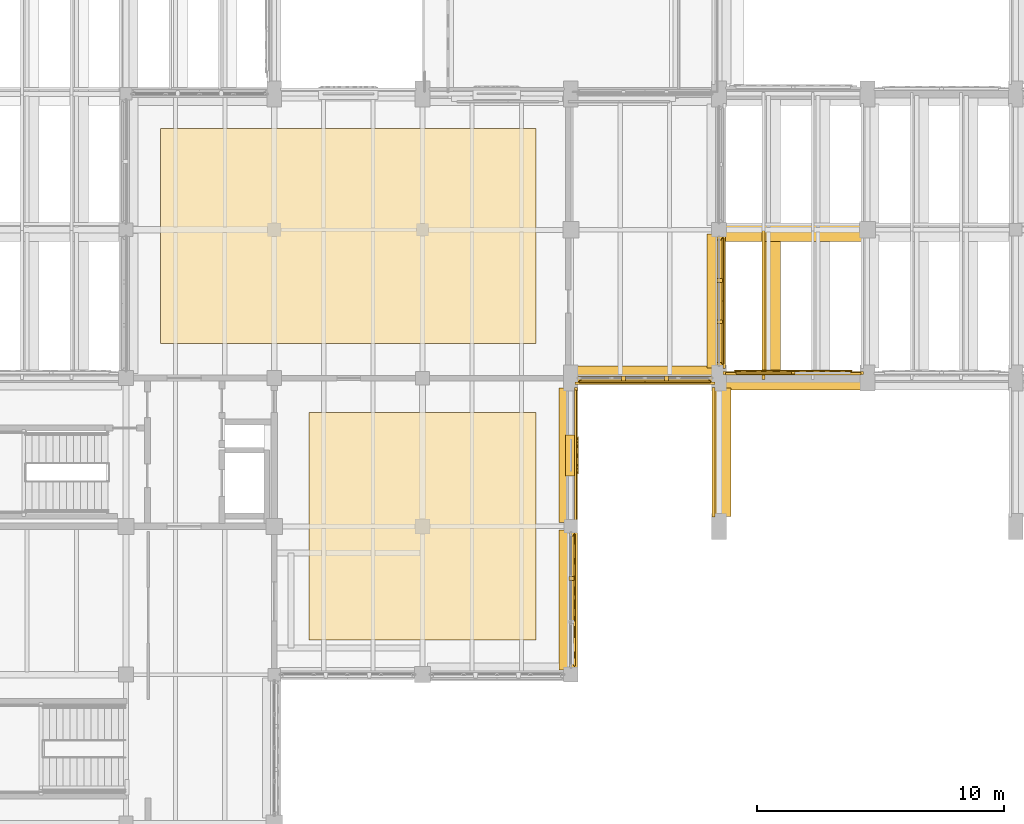
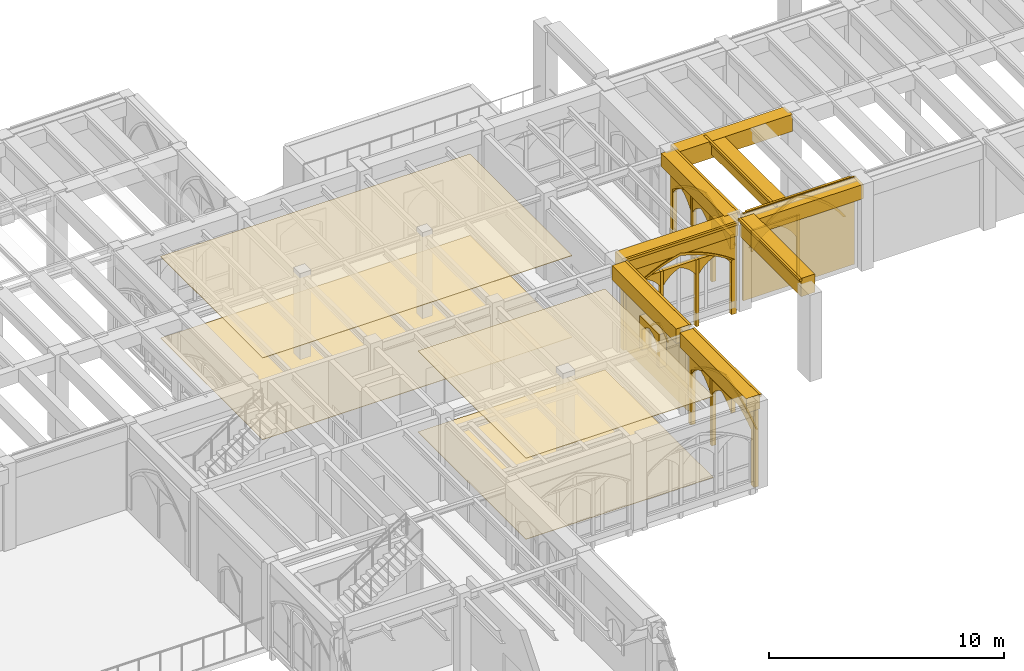
# One storey, part 113 of 127: 46 coverings.
"""IFC4 building model written with IfcOpenShell, lengths in metres."""

import ifcopenshell
import ifcopenshell.guid

model = None  # the IFC model being written
_history = None  # IfcOwnerHistory: only IFC2X3 demands one
_inside = {}  # id of a spatial element -> (the spatial element, [elements in it])
_under = {}  # id of a project, library or spatial element -> (it, [spatial elements below it])
_declared = {}  # id of a project -> (the project, [libraries it declares])
_typed = {}  # id of a type object -> (the type object, [elements of that type])
_made_of = {}  # id of a material, layer set ... -> (it, [elements and type objects made of it])


def new_model(schema):
    """Start an empty IFC model of exactly this schema.

    Asked for "IFC4X3", IfcOpenShell would pick the latest addendum, in which some entities
    have other attributes; the version numbers below select the first issue.
    IFC2X3 requires an IfcOwnerHistory on every rooted entity: one is made here for all.
    """
    global model, _history
    if schema == "IFC4X3":
        model = ifcopenshell.file(schema_version=(4, 3, 0, 0))
    else:
        model = ifcopenshell.file(schema=schema)
    _inside.clear()
    _under.clear()
    _declared.clear()
    _typed.clear()
    _made_of.clear()
    _history = None
    if model.schema == "IFC2X3":
        org = make("IfcOrganization", Name="unknown")
        user = make(
            "IfcPersonAndOrganization",
            ThePerson=make("IfcPerson", FamilyName="unknown"),
            TheOrganization=org,
        )
        app = make(
            "IfcApplication",
            ApplicationDeveloper=org,
            Version="unknown",
            ApplicationFullName="unknown",
            ApplicationIdentifier="unknown",
        )
        _history = make(
            "IfcOwnerHistory",
            OwningUser=user,
            OwningApplication=app,
            ChangeAction="ADDED",
            CreationDate=0,
        )
    return model


def make(cls, **values):
    """One entity of the class cls with the attributes given. An attribute that is None is left unset."""
    return model.create_entity(
        cls, **{name: value for name, value in values.items() if value is not None}
    )


def rooted(cls, **values):
    """An entity with a GlobalId (a new one), such as an element, a storey or a relation."""
    return make(cls, GlobalId=ifcopenshell.guid.new(), OwnerHistory=_history, **values)


def si_unit(unit_type, name, prefix=None):
    """IfcSIUnit, for example si_unit("LENGTHUNIT", "METRE", prefix="MILLI")."""
    return make("IfcSIUnit", UnitType=unit_type, Prefix=prefix, Name=name)


def assignment(units):
    """IfcUnitAssignment: the units of a project."""
    return None if units is None else make("IfcUnitAssignment", Units=units)


def point(xyz):
    """IfcCartesianPoint."""
    return None if xyz is None else make("IfcCartesianPoint", Coordinates=xyz)


def direction(xyz):
    """IfcDirection."""
    return None if xyz is None else make("IfcDirection", DirectionRatios=xyz)


def frame(location, z_axis=None, x_axis=None):
    """IfcAxis2Placement3D, a coordinate frame: its origin and axes. An axis left out is left unset."""
    return make(
        "IfcAxis2Placement3D",
        Location=point(location),
        Axis=direction(z_axis),
        RefDirection=direction(x_axis),
    )


def frame_2d(location, x_axis=None):
    """IfcAxis2Placement2D, a coordinate frame in the plane: its origin and x axis."""
    return make(
        "IfcAxis2Placement2D", Location=point(location), RefDirection=direction(x_axis)
    )


def origin():
    """The frame at (0, 0, 0) with its axes left unset."""
    return frame((0.0, 0.0, 0.0))


def origin_2d():
    """The frame at (0, 0) in the plane with its x axis left unset."""
    return frame_2d((0.0, 0.0))


def place(relative_to, where):
    """IfcLocalPlacement: puts the frame where relative to a parent placement (None: the world)."""
    return make(
        "IfcLocalPlacement", PlacementRelTo=relative_to, RelativePlacement=where
    )


def context(
    kind, dimensions, precision=None, world=None, true_north=None, identifier=None
):
    """IfcGeometricRepresentationContext, for example the 3D "Model" context."""
    return make(
        "IfcGeometricRepresentationContext",
        ContextIdentifier=identifier,
        ContextType=kind,
        CoordinateSpaceDimension=dimensions,
        Precision=precision,
        WorldCoordinateSystem=world,
        TrueNorth=true_north,
    )


def subcontext(parent, identifier, kind, view, scale=None):
    """IfcGeometricRepresentationSubContext, for example "Body" below "Model"."""
    return make(
        "IfcGeometricRepresentationSubContext",
        ContextIdentifier=identifier,
        ContextType=kind,
        ParentContext=parent,
        TargetScale=scale,
        TargetView=view,
    )


def project(units=None, contexts=None):
    """IfcProject with its units and contexts."""
    return rooted(
        "IfcProject",
        Name="project",
        RepresentationContexts=contexts,
        UnitsInContext=assignment(units),
    )


def spatial(cls, under=None, at=None, **own):
    """A site, building, storey or space (cls), placed at a placement, below another one or the project."""
    s = rooted(cls, ObjectPlacement=at, **own)
    if under is not None:
        _under.setdefault(under.id(), (under, []))[1].append(s)
    return s


def polyline(points):
    """IfcPolyline through the points."""
    return make("IfcPolyline", Points=[point(p) for p in points])


def profile(cls, at=None, kind="AREA", **sizes):
    """A parametric profile (cls). Its sizes go by their IFC names, for example OverallWidth=200.0."""
    return make(cls, ProfileType=kind, Position=at, **sizes)


def rectangle(**sizes):
    """IfcRectangleProfileDef."""
    return profile("IfcRectangleProfileDef", **sizes)


def outline(outer, holes=None, kind="AREA"):
    """IfcArbitraryClosedProfileDef: a profile drawn as a closed curve; with holes, ...WithVoids."""
    if holes is None:
        return make("IfcArbitraryClosedProfileDef", ProfileType=kind, OuterCurve=outer)
    return make(
        "IfcArbitraryProfileDefWithVoids",
        ProfileType=kind,
        OuterCurve=outer,
        InnerCurves=holes,
    )


def extrude(swept, where, along, depth):
    """IfcExtrudedAreaSolid: the profile swept, set in the frame where, extruded along a direction by depth."""
    return make(
        "IfcExtrudedAreaSolid",
        SweptArea=swept,
        Position=where,
        ExtrudedDirection=direction(along),
        Depth=depth,
    )


def shape(context_of_items, identifier, shape_type, items):
    """IfcShapeRepresentation: the items that make up one representation, for example the "Body"."""
    return make(
        "IfcShapeRepresentation",
        ContextOfItems=context_of_items,
        RepresentationIdentifier=identifier,
        RepresentationType=shape_type,
        Items=items,
    )


def material(Name=None, Category=None):
    """IfcMaterial."""
    return make("IfcMaterial", Name=Name, Category=Category)


def made_of(thing, what):
    """Note that an element or type object is made of a material, layer set ...; save() writes the relation."""
    if what is not None:
        _made_of.setdefault(what.id(), (what, []))[1].append(thing)
    return thing


def type_object(cls, material=None, **own):
    """A type object (cls), such as IfcWallType, which elements share."""
    return made_of(rooted(cls, **own), material)


def element(
    cls,
    number,
    at=None,
    inside=None,
    cuts=None,
    type_object=None,
    material=None,
    context=None,
    identifier="Body",
    shape_type=None,
    held_by="IfcProductDefinitionShape",
    body=None,
    shapes=None,
    **own,
):
    """One element of the class cls, such as IfcWall. Its Tag is "e" and its number.

    at: its placement. inside: the storey or other place that contains it. cuts: it is an
    opening in that element (IfcRelVoidsElement). A single representation is given by context,
    identifier, shape_type and body (its items); several are given by shapes. held_by: the class
    of the entity that holds the representations. save() writes the other relations.
    """
    e = rooted(cls, Tag="e%d" % number, ObjectPlacement=at, **own)
    if body is not None:
        shapes = [shape(context, identifier, shape_type, body)]
    if shapes is not None:
        e.Representation = make(held_by, Representations=shapes)
    if inside is not None:
        _inside.setdefault(inside.id(), (inside, []))[1].append(e)
    if cuts is not None:
        rooted(
            "IfcRelVoidsElement", RelatingBuildingElement=cuts, RelatedOpeningElement=e
        )
    if type_object is not None:
        _typed.setdefault(type_object.id(), (type_object, []))[1].append(e)
    return made_of(e, material)


def aggregate(whole, parts):
    """IfcRelAggregates: a whole, such as a stair, and the parts it consists of."""
    return rooted("IfcRelAggregates", RelatingObject=whole, RelatedObjects=parts)


def save(model, path):
    """Write the relations noted so far, then the file.

    IfcRelAggregates (storeys below a building ...), IfcRelContainedInSpatialStructure (elements
    in a storey), IfcRelDefinesByType, IfcRelAssociatesMaterial and IfcRelDeclares: one each for
    every whole, place, type object, material and project.
    """
    for whole, parts in _under.values():
        aggregate(whole, parts)
    for where, things in _inside.values():
        rooted(
            "IfcRelContainedInSpatialStructure",
            RelatedElements=things,
            RelatingStructure=where,
        )
    for kind, things in _typed.values():
        rooted("IfcRelDefinesByType", RelatedObjects=things, RelatingType=kind)
    for what, things in _made_of.values():
        rooted("IfcRelAssociatesMaterial", RelatedObjects=things, RelatingMaterial=what)
    for by, libraries in _declared.values():
        rooted("IfcRelDeclares", RelatingContext=by, RelatedDefinitions=libraries)
    model.write(path)


model = new_model("IFC4")

# Units and contexts
model_context = context("Model", 3, precision=1e-05, world=origin(), true_north=direction((0.0, 1.0)))
body_context = subcontext(model_context, "Body", "Model", "MODEL_VIEW")
ifc_project = project(units=[si_unit("LENGTHUNIT", "METRE"), si_unit("AREAUNIT", "SQUARE_METRE"), si_unit("VOLUMEUNIT", "CUBIC_METRE"), si_unit("PLANEANGLEUNIT", "RADIAN"), si_unit("MASSUNIT", "GRAM", prefix="KILO")], contexts=[model_context])

# Site, building, storey
site_placement = place(None, origin())
site = spatial("IfcSite", under=ifc_project, at=site_placement, CompositionType="ELEMENT")
building_placement = place(site_placement, origin())
building = spatial("IfcBuilding", under=site, at=building_placement, Name="Cumevento Cable Car Station", CompositionType="ELEMENT")
storey_placement = place(building_placement, frame((0.0, 0.0, 4.5)))
storey = spatial("IfcBuildingStorey", under=building, at=storey_placement, Name="L02", CompositionType="ELEMENT", Elevation=4.5)

# Coverings
ifc_material_1 = material(Name="Perforated Brazilian Ipe Timber Ceiling", Category="wood")
covering_type_1 = type_object("IfcCoveringType", Name="Acoustic Timber Ceiling CV-CE01", PredefinedType="CEILING", material=ifc_material_1)
covering_1_placement = place(storey_placement, frame((0.0, 0.0, 4.199951171875)))
element("IfcCovering", 1, at=covering_1_placement, inside=storey, type_object=covering_type_1, Name="Acoustic Timber Soffit Ceiling #4", PredefinedType="CEILING", context=body_context, shape_type="SweptSolid", body=[
    extrude(outline(polyline([(71.39990234375, 34.39990234375), (80.60009765625, 34.39990234375), (80.60009765625, 43.60009765625), (71.39990234375, 43.60009765625), (71.39990234375, 34.39990234375)])), origin(), (0.0, 0.0, 1.0), 0.028076171875),
])
covering_2_placement = place(storey_placement, frame((0.0, 0.0, 4.236083984375)))
element("IfcCovering", 2, at=covering_2_placement, inside=storey, type_object=covering_type_1, Name="Acoustic Timber Soffit Ceiling #7", PredefinedType="CEILING", context=body_context, shape_type="SweptSolid", body=[
    extrude(outline(polyline([(65.39990234375, 46.39990234375), (80.60009765625, 46.39990234375), (80.60009765625, 55.10009765625), (65.39990234375, 55.10009765625), (65.39990234375, 46.39990234375)])), origin(), (0.0, 0.0, 1.0), 0.02783203125),
])
ifc_material_2 = material(Name="Polished Carioca Granite Terrazzo Tile", Category="masonry")
covering_type_2 = type_object("IfcCoveringType", Name="Carioca Granite Flooring CV-FL01", PredefinedType="FLOORING", material=ifc_material_2)
covering_3_placement = place(storey_placement, origin())
element("IfcCovering", 3, at=covering_3_placement, inside=storey, type_object=covering_type_2, Name="Granite Terrazzo Floor Finish #4", PredefinedType="FLOORING", context=body_context, shape_type="SweptSolid", body=[
    extrude(outline(polyline([(71.39990234375, 34.39990234375), (80.60009765625, 34.39990234375), (80.60009765625, 43.60009765625), (71.39990234375, 43.60009765625), (71.39990234375, 34.39990234375)])), origin(), (0.0, 0.0, 1.0), 0.02197265625),
])
covering_4_placement = place(storey_placement, origin())
element("IfcCovering", 4, at=covering_4_placement, inside=storey, type_object=covering_type_2, Name="Granite Terrazzo Floor Finish #7", PredefinedType="FLOORING", context=body_context, shape_type="SweptSolid", body=[
    extrude(outline(polyline([(65.39990234375, 46.39990234375), (80.60009765625, 46.39990234375), (80.60009765625, 55.10009765625), (65.39990234375, 55.10009765625), (65.39990234375, 46.39990234375)])), origin(), (0.0, 0.0, 1.0), 0.02197265625),
])
ifc_material_3 = material(Name="Gnaisse Facoidal Stone Ashlar 85 MPa", Category="masonry")
covering_type_3 = type_object("IfcCoveringType", Name="Gnaisse Ashlar Cladding CV-CL01", PredefinedType="CLADDING", material=ifc_material_3)
covering_5_placement = place(storey_placement, frame((81.85009765625, 36.012451171875, 3.760986328125), z_axis=(0.0, 0.0, 1.0), x_axis=(0.0, -1.0, 0.0)))
element("IfcCovering", 5, at=covering_5_placement, inside=storey, type_object=covering_type_3, Name="Gothic Stone Spandrel Stringcourse sc:0332", PredefinedType="CLADDING", context=body_context, shape_type="SweptSolid", body=[
    extrude(rectangle(XDim=5.6650390625, YDim=0.659912109375, at=origin_2d()), origin(), (0.0, 0.0, 1.0), 0.7470703125),
])
covering_6_placement = place(storey_placement, frame((82.20751953125, 36.012451171875, 4.378173828125), z_axis=(0.0, 0.0, 1.0), x_axis=(0.0, -1.0, 0.0)))
element("IfcCovering", 6, at=covering_6_placement, inside=storey, type_object=covering_type_3, Name="Gothic Cornice Dripstone Lip sc:0332", PredefinedType="CLADDING", context=body_context, shape_type="SweptSolid", body=[
    extrude(rectangle(XDim=5.705078125, YDim=0.114990234375, at=origin_2d()), origin(), (0.0, 0.0, 1.0), 0.1298828125),
])
covering_7_placement = place(storey_placement, frame((81.85009765625, 41.875, 3.760986328125), z_axis=(0.0, 0.0, 1.0), x_axis=(0.0, -1.0, 0.0)))
element("IfcCovering", 7, at=covering_7_placement, inside=storey, type_object=covering_type_3, Name="Gothic Stone Spandrel Stringcourse sc:0333", PredefinedType="CLADDING", context=body_context, shape_type="SweptSolid", body=[
    extrude(rectangle(XDim=5.43994140625, YDim=0.659912109375, at=origin_2d()), origin(), (0.0, 0.0, 1.0), 0.7470703125),
])
covering_8_placement = place(storey_placement, frame((82.20751953125, 41.875, 4.378173828125), z_axis=(0.0, 0.0, 1.0), x_axis=(0.0, -1.0, 0.0)))
element("IfcCovering", 8, at=covering_8_placement, inside=storey, type_object=covering_type_3, Name="Gothic Cornice Dripstone Lip sc:0333", PredefinedType="CLADDING", context=body_context, shape_type="SweptSolid", body=[
    extrude(rectangle(XDim=5.47998046875, YDim=0.114990234375, at=origin_2d()), origin(), (0.0, 0.0, 1.0), 0.1298828125),
])
covering_9_placement = place(storey_placement, frame((85.0, 45.14990234375, 3.722900390625), z_axis=(0.0, 0.0, 1.0), x_axis=(-1.0, 0.0, 0.0)))
element("IfcCovering", 9, at=covering_9_placement, inside=storey, type_object=covering_type_3, Name="Gothic Stone Spandrel Stringcourse sc:0392", PredefinedType="CLADDING", context=body_context, shape_type="SweptSolid", body=[
    extrude(rectangle(XDim=5.639892578125, YDim=0.659912109375, at=origin_2d()), origin(), (0.0, 0.0, 1.0), 0.7470703125),
])
covering_10_placement = place(storey_placement, frame((85.0, 44.79248046875, 4.340087890625), z_axis=(0.0, 0.0, 1.0), x_axis=(-1.0, 0.0, 0.0)))
element("IfcCovering", 10, at=covering_10_placement, inside=storey, type_object=covering_type_3, Name="Gothic Cornice Dripstone Lip sc:0392", PredefinedType="CLADDING", context=body_context, shape_type="SweptSolid", body=[
    extrude(rectangle(XDim=5.679931640625, YDim=0.114990234375, at=origin_2d()), origin(), (0.0, 0.0, 1.0), 0.1298828125),
])
covering_11_placement = place(storey_placement, frame((87.851318359375, 48.112548828125, 3.77587890625), z_axis=(0.0, 0.0, 1.0), x_axis=(0.0, -1.0, 0.0)))
element("IfcCovering", 11, at=covering_11_placement, inside=storey, type_object=covering_type_3, Name="Gothic Stone Spandrel Stringcourse sc:0397", PredefinedType="CLADDING", context=body_context, shape_type="SweptSolid", body=[
    extrude(rectangle(XDim=5.4150390625, YDim=0.66259765625, at=origin_2d()), origin(), (0.0, 0.0, 1.0), 0.694091796875),
])
covering_12_placement = place(storey_placement, frame((88.2099609375, 48.112548828125, 4.340087890625), z_axis=(0.0, 0.0, 1.0), x_axis=(0.0, -1.0, 0.0)))
element("IfcCovering", 12, at=covering_12_placement, inside=storey, type_object=covering_type_3, Name="Gothic Cornice Dripstone Lip sc:0397", PredefinedType="CLADDING", context=body_context, shape_type="SweptSolid", body=[
    extrude(rectangle(XDim=5.455078125, YDim=0.114990234375, at=origin_2d()), origin(), (0.0, 0.0, 1.0), 0.1298828125),
])
covering_13_placement = place(storey_placement, frame((91.0, 44.85009765625, 3.722900390625), z_axis=(0.0, 0.0, 1.0), x_axis=(1.0, 0.0, 0.0)))
element("IfcCovering", 13, at=covering_13_placement, inside=storey, type_object=covering_type_3, Name="Gothic Stone Spandrel Stringcourse sc:0399", PredefinedType="CLADDING", context=body_context, shape_type="SweptSolid", body=[
    extrude(rectangle(XDim=5.639892578125, YDim=0.659912109375, at=origin_2d()), origin(), (0.0, 0.0, 1.0), 0.7470703125),
])
covering_14_placement = place(storey_placement, frame((91.0, 45.20751953125, 4.340087890625), z_axis=(0.0, 0.0, 1.0), x_axis=(1.0, 0.0, 0.0)))
element("IfcCovering", 14, at=covering_14_placement, inside=storey, type_object=covering_type_3, Name="Gothic Cornice Dripstone Lip sc:0399", PredefinedType="CLADDING", context=body_context, shape_type="SweptSolid", body=[
    extrude(rectangle(XDim=5.679931640625, YDim=0.114990234375, at=origin_2d()), origin(), (0.0, 0.0, 1.0), 0.1298828125),
])
covering_15_placement = place(storey_placement, frame((90.987548828125, 50.852783203125, 3.591064453125), z_axis=(0.0, 0.0, 1.0), x_axis=(1.0, 0.0, 0.0)))
element("IfcCovering", 15, at=covering_15_placement, inside=storey, type_object=covering_type_3, Name="Gothic Stone Spandrel Stringcourse sc:0404", PredefinedType="CLADDING", context=body_context, shape_type="SweptSolid", body=[
    extrude(rectangle(XDim=5.614990234375, YDim=0.66552734375, at=origin_2d()), origin(), (0.0, 0.0, 1.0), 0.87890625),
])
covering_16_placement = place(storey_placement, frame((90.14990234375, 47.99169921875, 3.77490234375), z_axis=(0.0, 0.0, 1.0), x_axis=(0.0, 1.0, 0.0)))
element("IfcCovering", 16, at=covering_16_placement, inside=storey, type_object=covering_type_3, Name="Gothic Stone Spandrel Stringcourse sc:0520", PredefinedType="CLADDING", context=body_context, shape_type="SweptSolid", body=[
    extrude(rectangle(XDim=6.069580078125, YDim=0.659912109375, at=origin_2d()), origin(), (0.0, 0.0, 1.0), 0.695068359375),
])
covering_17_placement = place(storey_placement, frame((89.79248046875, 47.99169921875, 4.340087890625), z_axis=(0.0, 0.0, 1.0), x_axis=(0.0, 1.0, 0.0)))
element("IfcCovering", 17, at=covering_17_placement, inside=storey, type_object=covering_type_3, Name="Gothic Cornice Dripstone Lip sc:0520", PredefinedType="CLADDING", context=body_context, shape_type="SweptSolid", body=[
    extrude(rectangle(XDim=6.109619140625, YDim=0.114990234375, at=origin_2d()), origin(), (0.0, 0.0, 1.0), 0.1298828125),
])
covering_18_placement = place(storey_placement, frame((88.14306640625, 42.0, 3.83203125), z_axis=(0.0, 0.0, 1.0), x_axis=(0.0, 1.0, 0.0)))
element("IfcCovering", 18, at=covering_18_placement, inside=storey, type_object=covering_type_3, Name="Gothic Stone Spandrel Stringcourse sc:0866", PredefinedType="CLADDING", context=body_context, shape_type="SweptSolid", body=[
    extrude(rectangle(XDim=5.18994140625, YDim=0.674072265625, at=origin_2d()), origin(), (0.0, 0.0, 1.0), 0.947998046875),
])
covering_19_placement = place(storey_placement, frame((87.778564453125, 42.0, 4.650146484375), z_axis=(0.0, 0.0, 1.0), x_axis=(0.0, 1.0, 0.0)))
element("IfcCovering", 19, at=covering_19_placement, inside=storey, type_object=covering_type_3, Name="Gothic Cornice Dripstone Lip sc:0866", PredefinedType="CLADDING", context=body_context, shape_type="SweptSolid", body=[
    extrude(rectangle(XDim=5.22998046875, YDim=0.114990234375, at=origin_2d()), origin(), (0.0, 0.0, 1.0), 0.1298828125),
])
placement_1 = place(storey_placement, frame((82.0, 38.72509765625, -0.27001953125), z_axis=(0.0, 0.0, 1.0), x_axis=(0.0, -1.0, 0.0)))
element("IfcCovering", 20, at=placement_1, inside=storey, type_object=covering_type_3, Name="Gothic Ogival Pointed-Arch Stone Spandrel cw_ogival:0045", PredefinedType="CLADDING", context=body_context, shape_type="SweptSolid", body=[
    extrude(outline(polyline([(-0.080078125, 0.0), (-0.080078125, 4.1708984375), (5.5048828125, 4.1708984375), (5.5048828125, 0.0), (5.264892578125, 0.0), (5.264892578125, 2.863037109375), (4.971435546875, 3.05322265625), (4.6689453125, 3.229248046875), (4.358642578125, 3.390869140625), (4.041015625, 3.53759765625), (3.717041015625, 3.66943359375), (3.386962890625, 3.78564453125), (3.052001953125, 3.88623046875), (2.71240234375, 3.970947265625), (2.373046875, 3.88623046875), (2.0380859375, 3.78564453125), (1.7080078125, 3.66943359375), (1.384033203125, 3.53759765625), (1.06640625, 3.390869140625), (0.756103515625, 3.229248046875), (0.45361328125, 3.05322265625), (0.159912109375, 2.863037109375), (0.159912109375, 0.0), (-0.080078125, 0.0)])), frame((0.0, 0.139892578125, 0.0), z_axis=(0.0, -1.0, 0.0), x_axis=(1.0, 0.0, 0.0)), (0.0, 0.0, 1.0), 0.219970703125),
])
covering_21_placement = place(storey_placement, frame((82.0, 38.72509765625, 2.593017578125), z_axis=(0.0, 0.0, 1.0), x_axis=(0.0, -1.0, 0.0)))
element("IfcCovering", 21, at=covering_21_placement, inside=storey, type_object=covering_type_3, Name="Gothic Pointed Archivolt Hood Moulding cw_ogival:0045", PredefinedType="CLADDING", context=body_context, shape_type="SweptSolid", body=[
    extrude(outline(polyline([(0.159912109375, 0.0), (0.45361328125, 0.190185546875), (0.756103515625, 0.3662109375), (1.06640625, 0.52783203125), (1.384033203125, 0.674560546875), (1.7080078125, 0.806396484375), (2.0380859375, 0.922607421875), (2.373046875, 1.023193359375), (2.71240234375, 1.10791015625), (3.052001953125, 1.023193359375), (3.386962890625, 0.922607421875), (3.717041015625, 0.806396484375), (4.041015625, 0.674560546875), (4.358642578125, 0.52783203125), (4.6689453125, 0.3662109375), (4.971435546875, 0.190185546875), (5.264892578125, 0.0), (5.375, 0.0), (5.07275390625, 0.212890625), (4.760009765625, 0.41064453125), (4.437744140625, 0.592041015625), (4.106689453125, 0.757080078125), (3.767822265625, 0.905517578125), (3.421875, 1.036376953125), (3.06982421875, 1.14990234375), (2.71240234375, 1.24560546875), (2.355224609375, 1.14990234375), (2.003173828125, 1.036376953125), (1.6572265625, 0.905517578125), (1.318359375, 0.757080078125), (0.9873046875, 0.592041015625), (0.6650390625, 0.41064453125), (0.352294921875, 0.212890625), (0.050048828125, 0.0), (0.159912109375, 0.0)])), frame((0.0, 0.181884765625, 0.0), z_axis=(0.0, -1.0, 0.0), x_axis=(1.0, 0.0, 0.0)), (0.0, 0.0, 1.0), 0.06689453125),
])
element("IfcCovering", 22, at=placement_1, inside=storey, type_object=covering_type_3, Name="Gothic Bifora Stone Colonnette cw_ogival:0045 #1", PredefinedType="CLADDING", context=body_context, shape_type="SweptSolid", body=[
    extrude(outline(polyline([(1.76171875, -0.02001953125), (1.91162109375, -0.02001953125), (1.91162109375, 3.439208984375), (1.76171875, 3.439208984375), (1.76171875, -0.02001953125)])), frame((0.0, 0.1279296875, 0.0), z_axis=(0.0, -1.0, 0.0), x_axis=(1.0, 0.0, 0.0)), (0.0, 0.0, 1.0), 0.205078125),
])
for number, where, z_axis, x_axis, name in (
    (23, (82.0, 38.594970703125, 2.4130859375), (0.0, 0.0, 1.0), (0.0, -1.0, 0.0), "Gothic Ogival Pointed-Arch Stone Spandrel cw_ogival:0045:sub:0"),
    (24, (82.0, 36.84326171875, 2.4130859375), (0.0, 0.0, 1.0), (0.0, -1.0, 0.0), "Gothic Ogival Pointed-Arch Stone Spandrel cw_ogival:0045:sub:1"),
):
    element("IfcCovering", number, at=place(storey_placement, frame(where, z_axis=z_axis, x_axis=x_axis)), inside=storey, type_object=covering_type_3, Name=name, PredefinedType="CLADDING", context=body_context, shape_type="SweptSolid", body=[
        extrude(outline(polyline([(-0.02001953125, 0.0), (-0.02001953125, 0.756103515625), (1.681640625, 0.756103515625), (1.681640625, 0.0), (1.62158203125, 0.0), (1.519775390625, 0.138427734375), (1.404296875, 0.265625), (1.276123046875, 0.380126953125), (1.136962890625, 0.48095703125), (0.98779296875, 0.56640625), (0.830810546875, 0.63623046875), (0.673828125, 0.56640625), (0.524658203125, 0.48095703125), (0.385498046875, 0.380126953125), (0.25732421875, 0.265625), (0.141845703125, 0.138427734375), (0.0400390625, 0.0), (-0.02001953125, 0.0)])), frame((0.0, 0.1240234375, 0.0), z_axis=(0.0, -1.0, 0.0), x_axis=(1.0, 0.0, 0.0)), (0.0, 0.0, 1.0), 0.199951171875),
    ])
placement_2 = place(storey_placement, frame((87.699951171875, 45.0, -0.320068359375), z_axis=(0.0, 0.0, 1.0), x_axis=(-1.0, 0.0, 0.0)))
element("IfcCovering", 25, at=placement_2, inside=storey, type_object=covering_type_3, Name="Gothic Ogival Pointed-Arch Stone Spandrel cw_ogival:0060", PredefinedType="CLADDING", context=body_context, shape_type="SweptSolid", body=[
    extrude(outline(polyline([(-0.080078125, 0.0), (-0.080078125, 4.18310546875), (5.47998046875, 4.18310546875), (5.47998046875, 0.0), (5.239990234375, 0.0), (5.239990234375, 2.87060546875), (4.947998046875, 3.061279296875), (4.6474609375, 3.238037109375), (4.3388671875, 3.400390625), (4.02294921875, 3.547607421875), (3.7001953125, 3.679931640625), (3.371826171875, 3.796630859375), (3.0380859375, 3.897705078125), (2.699951171875, 3.98291015625), (2.36181640625, 3.897705078125), (2.028076171875, 3.796630859375), (1.69970703125, 3.679931640625), (1.376953125, 3.547607421875), (1.06103515625, 3.400390625), (0.75244140625, 3.238037109375), (0.451904296875, 3.061279296875), (0.159912109375, 2.87060546875), (0.159912109375, 0.0), (-0.080078125, 0.0)])), frame((0.0, 0.139892578125, 0.0), z_axis=(0.0, -1.0, 0.0), x_axis=(1.0, 0.0, 0.0)), (0.0, 0.0, 1.0), 0.219970703125),
])
covering_24_placement = place(storey_placement, frame((87.699951171875, 45.0, 2.55078125), z_axis=(0.0, 0.0, 1.0), x_axis=(-1.0, 0.0, 0.0)))
element("IfcCovering", 26, at=covering_24_placement, inside=storey, type_object=covering_type_3, Name="Gothic Pointed Archivolt Hood Moulding cw_ogival:0060", PredefinedType="CLADDING", context=body_context, shape_type="SweptSolid", body=[
    extrude(outline(polyline([(0.159912109375, 0.0), (0.451904296875, 0.190673828125), (0.75244140625, 0.367431640625), (1.06103515625, 0.52978515625), (1.376953125, 0.677001953125), (1.69970703125, 0.809326171875), (2.028076171875, 0.926025390625), (2.36181640625, 1.027099609375), (2.699951171875, 1.1123046875), (3.0380859375, 1.027099609375), (3.371826171875, 0.926025390625), (3.7001953125, 0.809326171875), (4.02294921875, 0.677001953125), (4.3388671875, 0.52978515625), (4.6474609375, 0.367431640625), (4.947998046875, 0.190673828125), (5.239990234375, 0.0), (5.35009765625, 0.0), (5.04931640625, 0.213623046875), (4.738525390625, 0.411865234375), (4.41796875, 0.593994140625), (4.08837890625, 0.759765625), (3.7509765625, 0.908447265625), (3.406494140625, 1.0400390625), (3.055908203125, 1.15380859375), (2.699951171875, 1.249755859375), (2.343994140625, 1.15380859375), (1.993408203125, 1.0400390625), (1.64892578125, 0.908447265625), (1.3115234375, 0.759765625), (0.98193359375, 0.593994140625), (0.661376953125, 0.411865234375), (0.3505859375, 0.213623046875), (0.050048828125, 0.0), (0.159912109375, 0.0)])), frame((0.0, 0.181884765625, 0.0), z_axis=(0.0, -1.0, 0.0), x_axis=(1.0, 0.0, 0.0)), (0.0, 0.0, 1.0), 0.06689453125),
])
element("IfcCovering", 27, at=placement_2, inside=storey, type_object=covering_type_3, Name="Gothic Bifora Stone Colonnette cw_ogival:0060 #1", PredefinedType="CLADDING", context=body_context, shape_type="SweptSolid", body=[
    extrude(outline(polyline([(1.75341796875, -0.02001953125), (1.9033203125, -0.02001953125), (1.9033203125, 3.44921875), (1.75341796875, 3.44921875), (1.75341796875, -0.02001953125)])), frame((0.0, 0.1279296875, 0.0), z_axis=(0.0, -1.0, 0.0), x_axis=(1.0, 0.0, 0.0)), (0.0, 0.0, 1.0), 0.205078125),
])
element("IfcCovering", 28, at=placement_2, inside=storey, type_object=covering_type_3, Name="Gothic Bifora Stone Colonnette cw_ogival:0060 #2", PredefinedType="CLADDING", context=body_context, shape_type="SweptSolid", body=[
    extrude(outline(polyline([(3.49658203125, -0.02001953125), (3.646728515625, -0.02001953125), (3.646728515625, 3.44921875), (3.49658203125, 3.44921875), (3.49658203125, -0.02001953125)])), frame((0.0, 0.1279296875, 0.0), z_axis=(0.0, -1.0, 0.0), x_axis=(1.0, 0.0, 0.0)), (0.0, 0.0, 1.0), 0.205078125),
])
for number, where, z_axis, x_axis, name in (
    (29, (87.570068359375, 45.0, 2.37060546875), (0.0, 0.0, 1.0), (-1.0, 0.0, 0.0), "Gothic Ogival Pointed-Arch Stone Spandrel cw_ogival:0060:sub:0"),
    (30, (85.82666015625, 45.0, 2.37060546875), (0.0, 0.0, 1.0), (-1.0, 0.0, 0.0), "Gothic Ogival Pointed-Arch Stone Spandrel cw_ogival:0060:sub:1"),
    (31, (84.083251953125, 45.0, 2.37060546875), (0.0, 0.0, 1.0), (-1.0, 0.0, 0.0), "Gothic Ogival Pointed-Arch Stone Spandrel cw_ogival:0060:sub:2"),
):
    element("IfcCovering", number, at=place(storey_placement, frame(where, z_axis=z_axis, x_axis=x_axis)), inside=storey, type_object=covering_type_3, Name=name, PredefinedType="CLADDING", context=body_context, shape_type="SweptSolid", body=[
        extrude(outline(polyline([(-0.02001953125, 0.0), (-0.02001953125, 0.75830078125), (1.67333984375, 0.75830078125), (1.67333984375, 0.0), (1.61328125, 0.0), (1.512451171875, 0.138916015625), (1.39794921875, 0.266357421875), (1.2705078125, 0.38134765625), (1.1318359375, 0.482421875), (0.9833984375, 0.568359375), (0.82666015625, 0.638427734375), (0.669921875, 0.568359375), (0.521484375, 0.482421875), (0.3828125, 0.38134765625), (0.25537109375, 0.266357421875), (0.140869140625, 0.138916015625), (0.0400390625, 0.0), (-0.02001953125, 0.0)])), frame((0.0, 0.1240234375, 0.0), z_axis=(0.0, -1.0, 0.0), x_axis=(1.0, 0.0, 0.0)), (0.0, 0.0, 1.0), 0.199951171875),
    ])
placement_3 = place(storey_placement, frame((88.0, 50.699951171875, -0.159912109375), z_axis=(0.0, 0.0, 1.0), x_axis=(0.0, -1.0, 0.0)))
element("IfcCovering", 32, at=placement_3, inside=storey, type_object=covering_type_3, Name="Gothic Ogival Pointed-Arch Stone Spandrel cw_ogival:0063", PredefinedType="CLADDING", context=body_context, shape_type="SweptSolid", body=[
    extrude(outline(polyline([(-0.080078125, 0.0), (-0.080078125, 4.075927734375), (5.2548828125, 4.075927734375), (5.2548828125, 0.0), (5.014892578125, 0.0), (5.014892578125, 2.80224609375), (4.736572265625, 2.986328125), (4.44970703125, 3.15673828125), (4.15478515625, 3.3134765625), (3.852783203125, 3.455810546875), (3.54443359375, 3.58349609375), (3.230224609375, 3.6962890625), (2.9111328125, 3.7939453125), (2.58740234375, 3.8759765625), (2.263916015625, 3.7939453125), (1.94482421875, 3.6962890625), (1.630615234375, 3.58349609375), (1.322265625, 3.455810546875), (1.020263671875, 3.3134765625), (0.725341796875, 3.15673828125), (0.4384765625, 2.986328125), (0.159912109375, 2.80224609375), (0.159912109375, 0.0), (-0.080078125, 0.0)])), frame((0.0, 0.139892578125, 0.0), z_axis=(0.0, -1.0, 0.0), x_axis=(1.0, 0.0, 0.0)), (0.0, 0.0, 1.0), 0.219970703125),
])
covering_28_placement = place(storey_placement, frame((88.0, 50.699951171875, 2.64208984375), z_axis=(0.0, 0.0, 1.0), x_axis=(0.0, -1.0, 0.0)))
element("IfcCovering", 33, at=covering_28_placement, inside=storey, type_object=covering_type_3, Name="Gothic Pointed Archivolt Hood Moulding cw_ogival:0063", PredefinedType="CLADDING", context=body_context, shape_type="SweptSolid", body=[
    extrude(outline(polyline([(0.159912109375, 0.0), (0.4384765625, 0.18408203125), (0.725341796875, 0.3544921875), (1.020263671875, 0.51123046875), (1.322265625, 0.653564453125), (1.630615234375, 0.78125), (1.94482421875, 0.89404296875), (2.263916015625, 0.99169921875), (2.58740234375, 1.07373046875), (2.9111328125, 0.99169921875), (3.230224609375, 0.89404296875), (3.54443359375, 0.78125), (3.852783203125, 0.653564453125), (4.15478515625, 0.51123046875), (4.44970703125, 0.3544921875), (4.736572265625, 0.18408203125), (5.014892578125, 0.0), (5.125, 0.0), (4.837890625, 0.20703125), (4.540771484375, 0.39892578125), (4.23388671875, 0.575439453125), (3.91845703125, 0.736083984375), (3.595458984375, 0.88037109375), (3.26513671875, 1.0078125), (2.928955078125, 1.1181640625), (2.58740234375, 1.211181640625), (2.24609375, 1.1181640625), (1.909912109375, 1.0078125), (1.57958984375, 0.88037109375), (1.256591796875, 0.736083984375), (0.941162109375, 0.575439453125), (0.63427734375, 0.39892578125), (0.337158203125, 0.20703125), (0.050048828125, 0.0), (0.159912109375, 0.0)])), frame((0.0, 0.181884765625, 0.0), z_axis=(0.0, -1.0, 0.0), x_axis=(1.0, 0.0, 0.0)), (0.0, 0.0, 1.0), 0.06689453125),
])
element("IfcCovering", 34, at=placement_3, inside=storey, type_object=covering_type_3, Name="Gothic Bifora Stone Colonnette cw_ogival:0063 #1", PredefinedType="CLADDING", context=body_context, shape_type="SweptSolid", body=[
    extrude(outline(polyline([(1.67822265625, -0.02001953125), (1.828369140625, -0.02001953125), (1.828369140625, 3.360595703125), (1.67822265625, 3.360595703125), (1.67822265625, -0.02001953125)])), frame((0.0, 0.1279296875, 0.0), z_axis=(0.0, -1.0, 0.0), x_axis=(1.0, 0.0, 0.0)), (0.0, 0.0, 1.0), 0.205078125),
])
element("IfcCovering", 35, at=placement_3, inside=storey, type_object=covering_type_3, Name="Gothic Bifora Stone Colonnette cw_ogival:0063 #2", PredefinedType="CLADDING", context=body_context, shape_type="SweptSolid", body=[
    extrude(outline(polyline([(3.3466796875, -0.02001953125), (3.49658203125, -0.02001953125), (3.49658203125, 3.360595703125), (3.3466796875, 3.360595703125), (3.3466796875, -0.02001953125)])), frame((0.0, 0.1279296875, 0.0), z_axis=(0.0, -1.0, 0.0), x_axis=(1.0, 0.0, 0.0)), (0.0, 0.0, 1.0), 0.205078125),
])
for number, where, z_axis, x_axis, name in (
    (36, (88.0, 50.570068359375, 2.462158203125), (0.0, 0.0, 1.0), (0.0, -1.0, 0.0), "Gothic Ogival Pointed-Arch Stone Spandrel cw_ogival:0063:sub:0"),
    (37, (88.0, 48.901611328125, 2.462158203125), (0.0, 0.0, 1.0), (0.0, -1.0, 0.0), "Gothic Ogival Pointed-Arch Stone Spandrel cw_ogival:0063:sub:1"),
    (38, (88.0, 47.2333984375, 2.462158203125), (0.0, 0.0, 1.0), (0.0, -1.0, 0.0), "Gothic Ogival Pointed-Arch Stone Spandrel cw_ogival:0063:sub:2"),
):
    element("IfcCovering", number, at=place(storey_placement, frame(where, z_axis=z_axis, x_axis=x_axis)), inside=storey, type_object=covering_type_3, Name=name, PredefinedType="CLADDING", context=body_context, shape_type="SweptSolid", body=[
        extrude(outline(polyline([(-0.02001953125, 0.0), (-0.02001953125, 0.73828125), (1.598388671875, 0.73828125), (1.598388671875, 0.0), (1.538330078125, 0.0), (1.443359375, 0.13427734375), (1.33447265625, 0.2578125), (1.21337890625, 0.369140625), (1.0810546875, 0.467041015625), (0.939208984375, 0.550537109375), (0.7890625, 0.618408203125), (0.63916015625, 0.550537109375), (0.497314453125, 0.467041015625), (0.364990234375, 0.369140625), (0.243896484375, 0.2578125), (0.135009765625, 0.13427734375), (0.0400390625, 0.0), (-0.02001953125, 0.0)])), frame((0.0, 0.1240234375, 0.0), z_axis=(0.0, -1.0, 0.0), x_axis=(1.0, 0.0, 0.0)), (0.0, 0.0, 1.0), 0.199951171875),
    ])
covering_31_placement = place(storey_placement, frame((88.300048828125, 45.0, 0.0), z_axis=(0.0, 0.0, 1.0), x_axis=(1.0, 0.0, 0.0)))
element("IfcCovering", 39, at=covering_31_placement, inside=storey, type_object=covering_type_3, Name="Exterior Gnaisse Stone Wall Ashlar #48", PredefinedType="CLADDING", context=body_context, shape_type="SweptSolid", body=[
    extrude(outline(polyline([(-0.0400390625, -0.02001953125), (5.43994140625, -0.02001953125), (5.43994140625, 4.52001953125), (-0.0400390625, 4.52001953125), (-0.0400390625, -0.02001953125)])), frame((0.0, 0.215087890625, 0.0), z_axis=(0.0, -1.0, 0.0), x_axis=(1.0, 0.0, 0.0)), (0.0, 0.0, 1.0), 0.0849609375),
])
placement_4 = place(storey_placement, frame((88.47998046875, 45.0, 0.300048828125), z_axis=(0.0, 0.0, 1.0), x_axis=(1.0, 0.0, 0.0)))
element("IfcCovering", 40, at=placement_4, inside=storey, type_object=covering_type_3, Name="Gothic Ogival Pointed-Arch Stone Spandrel blind_ogival:0048", PredefinedType="CLADDING", context=body_context, shape_type="SweptSolid", body=[
    extrude(outline(polyline([(-0.050048828125, 0.0), (-0.050048828125, 4.239990234375), (5.090087890625, 4.239990234375), (5.090087890625, 0.0), (4.780029296875, 0.0), (4.780029296875, 2.219970703125), (4.531982421875, 2.55810546875), (4.255126953125, 2.872802734375), (3.951416015625, 3.161865234375), (3.62353515625, 3.423095703125), (3.273681640625, 3.654296875), (2.905029296875, 3.853759765625), (2.52001953125, 4.02001953125), (2.135009765625, 3.853759765625), (1.766357421875, 3.654296875), (1.41650390625, 3.423095703125), (1.088623046875, 3.161865234375), (0.784912109375, 2.872802734375), (0.508056640625, 2.55810546875), (0.260009765625, 2.219970703125), (0.260009765625, 0.0), (-0.050048828125, 0.0)])), frame((0.0, 0.27001953125, 0.0), z_axis=(0.0, -1.0, 0.0), x_axis=(1.0, 0.0, 0.0)), (0.0, 0.0, 1.0), 0.110107421875),
])
covering_33_placement = place(storey_placement, frame((88.47998046875, 45.0, 2.52001953125), z_axis=(0.0, 0.0, 1.0), x_axis=(1.0, 0.0, 0.0)))
element("IfcCovering", 41, at=covering_33_placement, inside=storey, type_object=covering_type_3, Name="Gothic Pointed Archivolt Hood Moulding blind_ogival:0048", PredefinedType="CLADDING", context=body_context, shape_type="SweptSolid", body=[
    extrude(outline(polyline([(0.260009765625, 0.0), (0.508056640625, 0.338134765625), (0.784912109375, 0.65283203125), (1.088623046875, 0.94189453125), (1.41650390625, 1.203125), (1.766357421875, 1.434326171875), (2.135009765625, 1.6337890625), (2.52001953125, 1.800048828125), (2.905029296875, 1.6337890625), (3.273681640625, 1.434326171875), (3.62353515625, 1.203125), (3.951416015625, 0.94189453125), (4.255126953125, 0.65283203125), (4.531982421875, 0.338134765625), (4.780029296875, 0.0), (4.90087890625, 0.0), (4.6435546875, 0.365478515625), (4.354248046875, 0.706298828125), (4.03564453125, 1.01953125), (3.689697265625, 1.302978515625), (3.31982421875, 1.553955078125), (2.928955078125, 1.770751953125), (2.52001953125, 1.951171875), (2.111083984375, 1.770751953125), (1.72021484375, 1.553955078125), (1.350341796875, 1.302978515625), (1.00439453125, 1.01953125), (0.685791015625, 0.706298828125), (0.396484375, 0.365478515625), (0.138916015625, 0.0), (0.260009765625, 0.0)])), frame((0.0, 0.31201171875, 0.0), z_axis=(0.0, -1.0, 0.0), x_axis=(1.0, 0.0, 0.0)), (0.0, 0.0, 1.0), 0.06689453125),
])
element("IfcCovering", 42, at=placement_4, inside=storey, type_object=covering_type_3, Name="Gothic Bifora Stone Colonnette blind_ogival:0048 #1", PredefinedType="CLADDING", context=body_context, shape_type="SweptSolid", body=[
    extrude(outline(polyline([(2.445068359375, -0.02001953125), (2.594970703125, -0.02001953125), (2.594970703125, 3.156005859375), (2.445068359375, 3.156005859375), (2.445068359375, -0.02001953125)])), frame((0.0, 0.258056640625, 0.0), z_axis=(0.0, -1.0, 0.0), x_axis=(1.0, 0.0, 0.0)), (0.0, 0.0, 1.0), 0.094970703125),
])
covering_35_placement = place(storey_placement, frame((88.7099609375, 45.0, 2.340087890625), z_axis=(0.0, 0.0, 1.0), x_axis=(1.0, 0.0, 0.0)))
element("IfcCovering", 43, at=covering_35_placement, inside=storey, type_object=covering_type_3, Name="Gothic Ogival Pointed-Arch Stone Spandrel blind_ogival:0048:sub:0", PredefinedType="CLADDING", context=body_context, shape_type="SweptSolid", body=[
    extrude(outline(polyline([(-0.02001953125, 0.0), (-0.02001953125, 1.115966796875), (2.264892578125, 1.115966796875), (2.264892578125, 0.0), (2.205078125, 0.0), (2.076171875, 0.214111328125), (1.923828125, 0.412109375), (1.75, 0.591552734375), (1.556640625, 0.75), (1.3466796875, 0.88525390625), (1.12255859375, 0.99609375), (0.8984375, 0.88525390625), (0.6884765625, 0.75), (0.4951171875, 0.591552734375), (0.3212890625, 0.412109375), (0.1689453125, 0.214111328125), (0.0400390625, 0.0), (-0.02001953125, 0.0)])), frame((0.0, 0.25390625, 0.0), z_axis=(0.0, -1.0, 0.0), x_axis=(1.0, 0.0, 0.0)), (0.0, 0.0, 1.0), 0.090087890625),
])
covering_36_placement = place(storey_placement, frame((82.0, 44.47509765625, 0.0), z_axis=(0.0, 0.0, 1.0), x_axis=(0.0, -1.0, 0.0)))
element("IfcCovering", 44, at=covering_36_placement, inside=storey, type_object=covering_type_3, Name="Exterior Gnaisse Stone Wall Ashlar #188", PredefinedType="CLADDING", context=body_context, shape_type="SweptSolid", body=[
    extrude(outline(polyline([(-0.0400390625, -0.02001953125), (5.239990234375, -0.02001953125), (5.239990234375, 3.841064453125), (-0.0400390625, 3.841064453125), (-0.0400390625, -0.02001953125)]), holes=[polyline([(1.9599609375, 1.31005859375), (3.239990234375, 1.31005859375), (3.239990234375, 2.739990234375), (1.9599609375, 2.739990234375), (1.9599609375, 1.31005859375)])]), frame((0.0, 0.22998046875, 0.0), z_axis=(0.0, -1.0, 0.0), x_axis=(1.0, 0.0, 0.0)), (0.0, 0.0, 1.0), 0.0849609375),
])
covering_37_placement = place(storey_placement, frame((82.0, 42.6650390625, 1.25), z_axis=(0.0, 0.0, 1.0), x_axis=(0.0, -1.0, 0.0)))
element("IfcCovering", 45, at=covering_37_placement, inside=storey, type_object=covering_type_3, Name="Gothic Ogival Pointed-Arch Stone Spandrel op_ogival:0188:1", PredefinedType="CLADDING", context=body_context, shape_type="SweptSolid", body=[
    extrude(outline(polyline([(-0.0400390625, 0.0), (-0.0400390625, 1.719970703125), (1.6201171875, 1.719970703125), (1.6201171875, 0.0), (1.43994140625, 0.0), (1.43994140625, 1.093994140625), (1.36376953125, 1.1787109375), (1.28125, 1.25732421875), (1.1923828125, 1.3291015625), (1.098388671875, 1.3935546875), (0.999755859375, 1.450439453125), (0.896728515625, 1.499267578125), (0.7900390625, 1.5400390625), (0.683349609375, 1.499267578125), (0.580322265625, 1.450439453125), (0.481689453125, 1.3935546875), (0.3876953125, 1.3291015625), (0.298828125, 1.25732421875), (0.21630859375, 1.1787109375), (0.139892578125, 1.093994140625), (0.139892578125, 0.0), (-0.0400390625, 0.0)])), frame((0.0, 0.26806640625, 0.0), z_axis=(0.0, -1.0, 0.0), x_axis=(1.0, 0.0, 0.0)), (0.0, 0.0, 1.0), 0.489990234375),
])
covering_38_placement = place(storey_placement, frame((82.0, 42.6650390625, 2.343994140625), z_axis=(0.0, 0.0, 1.0), x_axis=(0.0, -1.0, 0.0)))
element("IfcCovering", 46, at=covering_38_placement, inside=storey, type_object=covering_type_3, Name="Gothic Pointed Archivolt Hood Moulding op_ogival:0188:1", PredefinedType="CLADDING", context=body_context, shape_type="SweptSolid", body=[
    extrude(outline(polyline([(0.139892578125, 0.0), (0.21630859375, 0.084716796875), (0.298828125, 0.163330078125), (0.3876953125, 0.235107421875), (0.481689453125, 0.299560546875), (0.580322265625, 0.3564453125), (0.683349609375, 0.4052734375), (0.7900390625, 0.446044921875), (0.896728515625, 0.4052734375), (0.999755859375, 0.3564453125), (1.098388671875, 0.299560546875), (1.1923828125, 0.235107421875), (1.28125, 0.163330078125), (1.36376953125, 0.084716796875), (1.43994140625, 0.0), (1.5390625, 0.0), (1.455078125, 0.107421875), (1.362060546875, 0.207275390625), (1.260986328125, 0.298828125), (1.15234375, 0.38134765625), (1.037109375, 0.45458984375), (0.916015625, 0.517333984375), (0.7900390625, 0.56982421875), (0.6640625, 0.517333984375), (0.54296875, 0.45458984375), (0.427734375, 0.38134765625), (0.319091796875, 0.298828125), (0.218017578125, 0.207275390625), (0.125, 0.107421875), (0.041015625, 0.0), (0.139892578125, 0.0)])), frame((0.0, 0.31005859375, 0.0), z_axis=(0.0, -1.0, 0.0), x_axis=(1.0, 0.0, 0.0)), (0.0, 0.0, 1.0), 0.06689453125),
])

save(model, "model.ifc")
